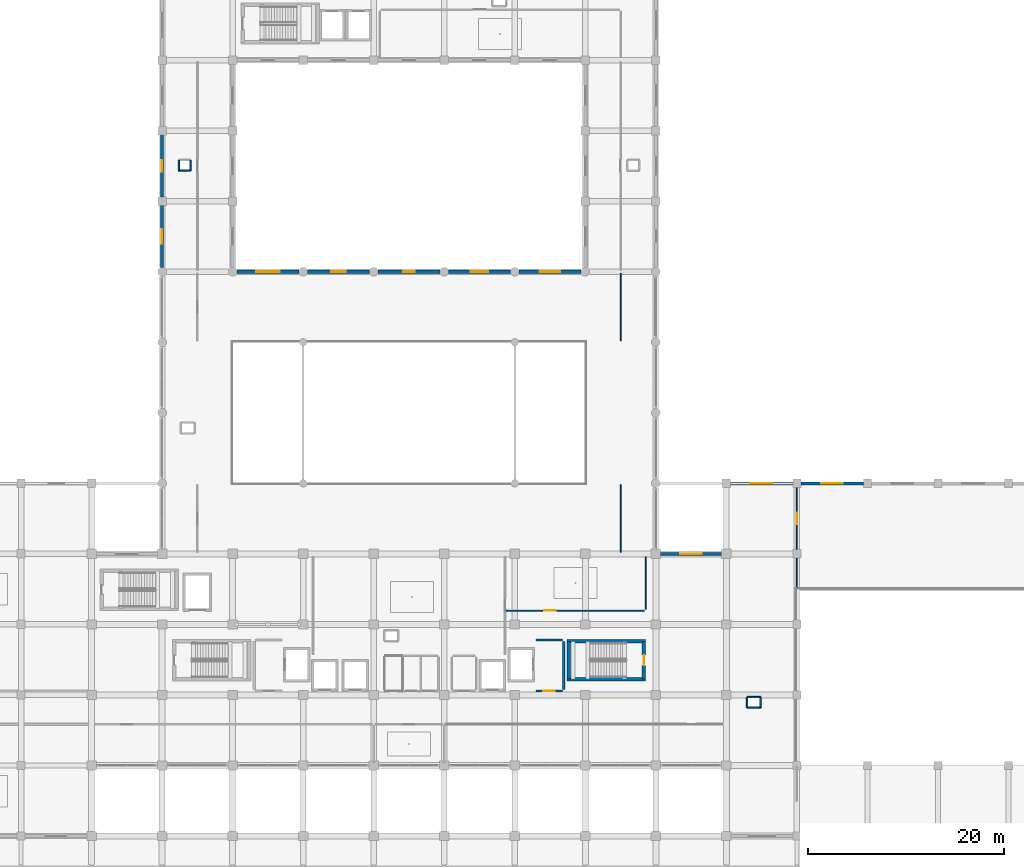
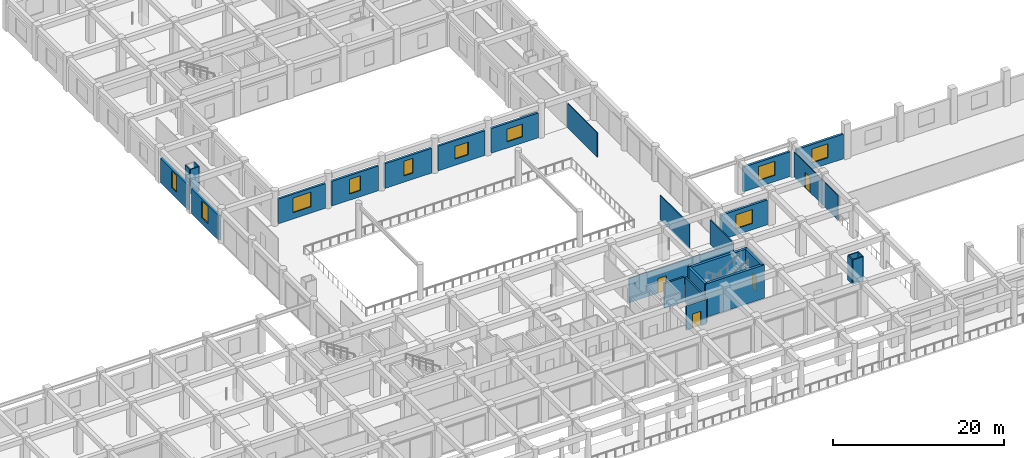
# One storey, part 32 of 54: 29 walls, 10 windows, 4 doors, 14 openings.
"""IFC4 building model written with IfcOpenShell, lengths in metres."""

from ifc_helpers import new_model, si_unit, direction, frame, frame_2d, origin, place, context, subcontext, project, spatial, rectangle, extrude, material, layer, layer_set, type_object, element, fill, save


model = new_model("IFC4")

# Units and contexts
model_context = context("Model", 3, precision=1e-05, world=origin(), true_north=direction((0.0, 1.0)))
body_context = subcontext(model_context, "Body", "Model", "MODEL_VIEW")
ifc_project = project(units=[si_unit("LENGTHUNIT", "METRE"), si_unit("AREAUNIT", "SQUARE_METRE"), si_unit("VOLUMEUNIT", "CUBIC_METRE"), si_unit("PLANEANGLEUNIT", "RADIAN"), si_unit("MASSUNIT", "GRAM", prefix="KILO")], contexts=[model_context])

# Site, building, storey
site_placement = place(None, origin())
site = spatial("IfcSite", under=ifc_project, at=site_placement, CompositionType="ELEMENT")
building_placement = place(site_placement, origin())
building = spatial("IfcBuilding", under=site, at=building_placement, Name="Kazehaya Institute of Natural Sciences", CompositionType="ELEMENT")
storey_placement = place(building_placement, frame((0.0, 0.0, 5.39990234375)))
storey = spatial("IfcBuildingStorey", under=building, at=storey_placement, Name="L01", CompositionType="ELEMENT", Elevation=5.39990234375)

# Walls
ifc_material_1 = material(Name="Concrete Fc42", Category="concrete")
ifc_layer_1 = layer(ifc_material_1, 0.35009765625, Name="Concrete Fc42", Category="concrete")
ifc_layer_set_1 = layer_set([ifc_layer_1], Name="Concrete Fc42")
wall_type_1 = type_object("IfcWallType", Name="WL-CORE-350", PredefinedType="SHEAR", material=ifc_layer_set_1)
for number, where, z_axis, x_axis, name in (
    (1, (111.155029296875, 22.820068359375, 0.0), (0.0, 0.0, 1.0), (-1.0, 0.0, 0.0), "L01 ST-2 core wall S"),
    (2, (103.14501953125, 26.659912109375, 0.0), (0.0, 0.0, 1.0), (1.0, 0.0, 0.0), "L01 ST-2 core wall N"),
):
    element("IfcWall", number, at=place(storey_placement, frame(where, z_axis=z_axis, x_axis=x_axis)), inside=storey, type_object=wall_type_1, Name=name, PredefinedType="SHEAR", context=body_context, shape_type="SweptSolid", body=[
        extrude(rectangle(XDim=8.010009765625, YDim=0.35009765625, at=frame_2d((4.0048828125, 0.0))), origin(), (0.0, 0.0, 1.0), 4.77001953125),
    ])
wall_1_placement = place(storey_placement, frame((103.320068359375, 22.820068359375, 0.0), z_axis=(0.0, 0.0, 1.0), x_axis=(0.0, 1.0, 0.0)))
element("IfcWall", 3, at=wall_1_placement, inside=storey, type_object=wall_type_1, Name="L01 ST-2 core wall W", PredefinedType="SHEAR", context=body_context, shape_type="SweptSolid", body=[
    extrude(rectangle(XDim=3.83984375, YDim=0.35009765625, at=frame_2d((1.919921875, 0.0))), origin(), (0.0, 0.0, 1.0), 4.77001953125),
])

# Wall, opening, door
wall_2_placement = place(storey_placement, frame((110.97998046875, 26.659912109375, 0.0), z_axis=(0.0, 0.0, 1.0), x_axis=(0.0, -1.0, 0.0)))
wall_2 = element("IfcWall", 4, at=wall_2_placement, inside=storey, type_object=wall_type_1, Name="L01 ST-2 core wall E", PredefinedType="SHEAR", context=body_context, shape_type="SweptSolid", body=[
    extrude(rectangle(XDim=3.83984375, YDim=0.35009765625, at=frame_2d((1.919921875, 0.0))), origin(), (0.0, 0.0, 1.0), 4.77001953125),
])
opening_1_placement = place(wall_2_placement, frame((1.389892578125, 0.0, 0.0)))
opening_1 = element("IfcOpeningElement", 5, at=opening_1_placement, cuts=wall_2, Name="Opening D-ST-014", PredefinedType="OPENING", context=body_context, shape_type="SweptSolid", body=[
    extrude(rectangle(XDim=1.06005859375, YDim=2.179931640625, at=frame_2d((0.530029296875, 1.08984375))), frame((0.0, 0.18505859375, 0.0), z_axis=(0.0, -1.0, 0.0), x_axis=(1.0, 0.0, 0.0)), (0.0, 0.0, 1.0), 0.3701171875),
])
ifc_material_2 = material(Name="Fire-rated steel acoustic door", Category="steel")
door_type_1 = type_object("IfcDoorType", Name="DT-FD-15", OperationType="NOTDEFINED", PredefinedType="DOOR", material=ifc_material_2)
door_1_placement = place(opening_1_placement, origin())
door_1 = element("IfcDoor", 6, at=door_1_placement, inside=storey, type_object=door_type_1, Name="L01 ST-2 stair enclosure door D-ST-014", OperationType="SINGLE_SWING_RIGHT", OverallHeight=2.179931640625, OverallWidth=1.06005859375, PredefinedType="DOOR", context=body_context, shape_type="SweptSolid", body=[
    extrude(rectangle(XDim=1.06005859375, YDim=2.179931640625, at=frame_2d((0.530029296875, 1.08984375))), frame((0.0, 0.02490234375, 0.0), z_axis=(0.0, -1.0, 0.0), x_axis=(1.0, 0.0, 0.0)), (0.0, 0.0, 1.0), 0.050048828125),
])
fill(opening_1, door_1)

# Wall, opening, window
ifc_material_3 = material(Name="Precast concrete Fc36", Category="concrete")
ifc_layer_2 = layer(ifc_material_3, 0.31005859375, Name="Precast concrete Fc36", Category="concrete")
ifc_layer_set_2 = layer_set([ifc_layer_2], Name="Precast concrete Fc36")
wall_type_2 = type_object("IfcWallType", Name="WL-EXT-310", PredefinedType="SOLIDWALL", material=ifc_layer_set_2)
wall_3_placement = place(storey_placement, frame((69.43505859375, 64.39990234375, 0.0), z_axis=(0.0, 0.0, 1.0), x_axis=(1.0, 0.0, 0.0)))
wall_3 = element("IfcWall", 7, at=wall_3_placement, inside=storey, type_object=wall_type_2, Name="L01 exterior wall EW-L01-0154", PredefinedType="SOLIDWALL", context=body_context, shape_type="SweptSolid", body=[
    extrude(rectangle(XDim=6.329833984375, YDim=0.31005859375, at=frame_2d((3.1650390625, 0.0))), origin(), (0.0, 0.0, 1.0), 3.5400390625),
])
opening_2_placement = place(wall_3_placement, frame((1.965087890625, 0.0, 0.89990234375)))
opening_2 = element("IfcOpeningElement", 8, at=opening_2_placement, cuts=wall_3, Name="Opening W08", PredefinedType="OPENING", context=body_context, shape_type="SweptSolid", body=[
    extrude(rectangle(XDim=2.39990234375, YDim=2.10009765625, at=frame_2d((1.199951171875, 1.050048828125))), frame((0.0, 0.1650390625, 0.0), z_axis=(0.0, -1.0, 0.0), x_axis=(1.0, 0.0, 0.0)), (0.0, 0.0, 1.0), 0.330078125),
])
ifc_material_4 = material(Name="Low-E double-glazed aluminium window", Category="aluminium")
window_type_1 = type_object("IfcWindowType", Name="WN-08", PartitioningType="DOUBLE_PANEL_VERTICAL", PredefinedType="WINDOW", material=ifc_material_4)
window_1_placement = place(opening_2_placement, origin())
window_1 = element("IfcWindow", 9, at=window_1_placement, inside=storey, type_object=window_type_1, Name="L01 facade window 0056", OverallHeight=2.10009765625, OverallWidth=2.39990234375, PartitioningType="DOUBLE_PANEL_VERTICAL", PredefinedType="WINDOW", context=body_context, shape_type="SweptSolid", body=[
    extrude(rectangle(XDim=2.39990234375, YDim=2.10009765625, at=frame_2d((1.199951171875, 1.050048828125))), frame((0.0, 0.030029296875, 0.0), z_axis=(0.0, -1.0, 0.0), x_axis=(1.0, 0.0, 0.0)), (0.0, 0.0, 1.0), 0.06005859375),
])
fill(opening_2, window_1)

wall_4_placement = place(storey_placement, frame((76.635009765625, 64.39990234375, 0.0), z_axis=(0.0, 0.0, 1.0), x_axis=(1.0, 0.0, 0.0)))
wall_4 = element("IfcWall", 10, at=wall_4_placement, inside=storey, type_object=wall_type_2, Name="L01 exterior wall EW-L01-0155", PredefinedType="SOLIDWALL", context=body_context, shape_type="SweptSolid", body=[
    extrude(rectangle(XDim=6.330078125, YDim=0.31005859375, at=frame_2d((3.1650390625, 0.0))), origin(), (0.0, 0.0, 1.0), 3.5400390625),
])
opening_3_placement = place(wall_4_placement, frame((2.4150390625, 0.0, 0.89990234375)))
opening_3 = element("IfcOpeningElement", 11, at=opening_3_placement, cuts=wall_4, Name="Opening W09", PredefinedType="OPENING", context=body_context, shape_type="SweptSolid", body=[
    extrude(rectangle(XDim=1.5, YDim=2.10009765625, at=frame_2d((0.75, 1.050048828125))), frame((0.0, 0.1650390625, 0.0), z_axis=(0.0, -1.0, 0.0), x_axis=(1.0, 0.0, 0.0)), (0.0, 0.0, 1.0), 0.330078125),
])
window_type_2 = type_object("IfcWindowType", Name="WN-09", PartitioningType="SINGLE_PANEL", PredefinedType="WINDOW", material=ifc_material_4)
window_2_placement = place(opening_3_placement, origin())
window_2 = element("IfcWindow", 12, at=window_2_placement, inside=storey, type_object=window_type_2, Name="L01 facade window 0057", OverallHeight=2.10009765625, OverallWidth=1.5, PartitioningType="SINGLE_PANEL", PredefinedType="WINDOW", context=body_context, shape_type="SweptSolid", body=[
    extrude(rectangle(XDim=1.5, YDim=2.10009765625, at=frame_2d((0.75, 1.050048828125))), frame((0.0, 0.030029296875, 0.0), z_axis=(0.0, -1.0, 0.0), x_axis=(1.0, 0.0, 0.0)), (0.0, 0.0, 1.0), 0.06005859375),
])
fill(opening_3, window_2)

wall_5_placement = place(storey_placement, frame((83.8349609375, 64.39990234375, 0.0), z_axis=(0.0, 0.0, 1.0), x_axis=(1.0, 0.0, 0.0)))
wall_5 = element("IfcWall", 13, at=wall_5_placement, inside=storey, type_object=wall_type_2, Name="L01 exterior wall EW-L01-0156", PredefinedType="SOLIDWALL", context=body_context, shape_type="SweptSolid", body=[
    extrude(rectangle(XDim=6.330078125, YDim=0.31005859375, at=frame_2d((3.1650390625, 0.0))), origin(), (0.0, 0.0, 1.0), 3.5400390625),
])
opening_4_placement = place(wall_5_placement, frame((2.56494140625, 0.0, 0.89990234375)))
opening_4 = element("IfcOpeningElement", 14, at=opening_4_placement, cuts=wall_5, Name="Opening W10", PredefinedType="OPENING", context=body_context, shape_type="SweptSolid", body=[
    extrude(rectangle(XDim=1.199951171875, YDim=2.10009765625, at=frame_2d((0.60009765625, 1.050048828125))), frame((0.0, 0.1650390625, 0.0), z_axis=(0.0, -1.0, 0.0), x_axis=(1.0, 0.0, 0.0)), (0.0, 0.0, 1.0), 0.330078125),
])
window_type_3 = type_object("IfcWindowType", Name="WN-10", PartitioningType="SINGLE_PANEL", PredefinedType="WINDOW", material=ifc_material_4)
window_3_placement = place(opening_4_placement, origin())
window_3 = element("IfcWindow", 15, at=window_3_placement, inside=storey, type_object=window_type_3, Name="L01 facade window 0058", OverallHeight=2.10009765625, OverallWidth=1.199951171875, PartitioningType="SINGLE_PANEL", PredefinedType="WINDOW", context=body_context, shape_type="SweptSolid", body=[
    extrude(rectangle(XDim=1.199951171875, YDim=2.10009765625, at=frame_2d((0.60009765625, 1.050048828125))), frame((0.0, 0.030029296875, 0.0), z_axis=(0.0, -1.0, 0.0), x_axis=(1.0, 0.0, 0.0)), (0.0, 0.0, 1.0), 0.06005859375),
])
fill(opening_4, window_3)

wall_6_placement = place(storey_placement, frame((91.034912109375, 64.39990234375, 0.0), z_axis=(0.0, 0.0, 1.0), x_axis=(1.0, 0.0, 0.0)))
wall_6 = element("IfcWall", 16, at=wall_6_placement, inside=storey, type_object=wall_type_2, Name="L01 exterior wall EW-L01-0157", PredefinedType="SOLIDWALL", context=body_context, shape_type="SweptSolid", body=[
    extrude(rectangle(XDim=6.330078125, YDim=0.31005859375, at=frame_2d((3.1650390625, 0.0))), origin(), (0.0, 0.0, 1.0), 3.5400390625),
])
opening_5_placement = place(wall_6_placement, frame((2.264892578125, 0.0, 0.89990234375)))
opening_5 = element("IfcOpeningElement", 17, at=opening_5_placement, cuts=wall_6, Name="Opening W11", PredefinedType="OPENING", context=body_context, shape_type="SweptSolid", body=[
    extrude(rectangle(XDim=1.800048828125, YDim=1.800048828125, at=frame_2d((0.89990234375, 0.89990234375))), frame((0.0, 0.1650390625, 0.0), z_axis=(0.0, -1.0, 0.0), x_axis=(1.0, 0.0, 0.0)), (0.0, 0.0, 1.0), 0.330078125),
])
window_type_4 = type_object("IfcWindowType", Name="WN-11", PartitioningType="DOUBLE_PANEL_VERTICAL", PredefinedType="WINDOW", material=ifc_material_4)
window_4_placement = place(opening_5_placement, origin())
window_4 = element("IfcWindow", 18, at=window_4_placement, inside=storey, type_object=window_type_4, Name="L01 facade window 0059", OverallHeight=1.800048828125, OverallWidth=1.800048828125, PartitioningType="DOUBLE_PANEL_VERTICAL", PredefinedType="WINDOW", context=body_context, shape_type="SweptSolid", body=[
    extrude(rectangle(XDim=1.800048828125, YDim=1.800048828125, at=frame_2d((0.89990234375, 0.89990234375))), frame((0.0, 0.030029296875, 0.0), z_axis=(0.0, -1.0, 0.0), x_axis=(1.0, 0.0, 0.0)), (0.0, 0.0, 1.0), 0.06005859375),
])
fill(opening_5, window_4)

wall_7_placement = place(storey_placement, frame((98.235107421875, 64.39990234375, 0.0), z_axis=(0.0, 0.0, 1.0), x_axis=(1.0, 0.0, 0.0)))
wall_7 = element("IfcWall", 19, at=wall_7_placement, inside=storey, type_object=wall_type_2, Name="L01 exterior wall EW-L01-0158", PredefinedType="SOLIDWALL", context=body_context, shape_type="SweptSolid", body=[
    extrude(rectangle(XDim=6.329833984375, YDim=0.31005859375, at=frame_2d((3.1650390625, 0.0))), origin(), (0.0, 0.0, 1.0), 3.5400390625),
])
opening_6_placement = place(wall_7_placement, frame((2.114990234375, 0.0, 0.89990234375)))
opening_6 = element("IfcOpeningElement", 20, at=opening_6_placement, cuts=wall_7, Name="Opening W12", PredefinedType="OPENING", context=body_context, shape_type="SweptSolid", body=[
    extrude(rectangle(XDim=2.10009765625, YDim=1.800048828125, at=frame_2d((1.050048828125, 0.89990234375))), frame((0.0, 0.1650390625, 0.0), z_axis=(0.0, -1.0, 0.0), x_axis=(1.0, 0.0, 0.0)), (0.0, 0.0, 1.0), 0.330078125),
])
window_type_5 = type_object("IfcWindowType", Name="WN-12", PartitioningType="DOUBLE_PANEL_VERTICAL", PredefinedType="WINDOW", material=ifc_material_4)
window_5_placement = place(opening_6_placement, origin())
window_5 = element("IfcWindow", 21, at=window_5_placement, inside=storey, type_object=window_type_5, Name="L01 facade window 0060", OverallHeight=1.800048828125, OverallWidth=2.10009765625, PartitioningType="DOUBLE_PANEL_VERTICAL", PredefinedType="WINDOW", context=body_context, shape_type="SweptSolid", body=[
    extrude(rectangle(XDim=2.10009765625, YDim=1.800048828125, at=frame_2d((1.050048828125, 0.89990234375))), frame((0.0, 0.030029296875, 0.0), z_axis=(0.0, -1.0, 0.0), x_axis=(1.0, 0.0, 0.0)), (0.0, 0.0, 1.0), 0.06005859375),
])
fill(opening_6, window_5)

wall_8_placement = place(storey_placement, frame((112.659912109375, 35.60009765625, 0.0), z_axis=(0.0, 0.0, 1.0), x_axis=(1.0, 0.0, 0.0)))
wall_8 = element("IfcWall", 22, at=wall_8_placement, inside=storey, type_object=wall_type_2, Name="L01 exterior wall EW-L01-0160", PredefinedType="SOLIDWALL", context=body_context, shape_type="SweptSolid", body=[
    extrude(rectangle(XDim=6.280029296875, YDim=0.31005859375, at=frame_2d((3.14013671875, 0.0))), origin(), (0.0, 0.0, 1.0), 3.5400390625),
])
opening_7_placement = place(wall_8_placement, frame((2.0400390625, 0.0, 0.89990234375)))
opening_7 = element("IfcOpeningElement", 23, at=opening_7_placement, cuts=wall_8, Name="Opening W20", PredefinedType="OPENING", context=body_context, shape_type="SweptSolid", body=[
    extrude(rectangle(XDim=2.199951171875, YDim=2.0, at=frame_2d((1.10009765625, 1.0))), frame((0.0, 0.1650390625, 0.0), z_axis=(0.0, -1.0, 0.0), x_axis=(1.0, 0.0, 0.0)), (0.0, 0.0, 1.0), 0.330078125),
])
window_type_6 = type_object("IfcWindowType", Name="WN-20", PartitioningType="DOUBLE_PANEL_VERTICAL", PredefinedType="WINDOW", material=ifc_material_4)
window_6_placement = place(opening_7_placement, origin())
window_6 = element("IfcWindow", 24, at=window_6_placement, inside=storey, type_object=window_type_6, Name="L01 facade window 0062", OverallHeight=2.0, OverallWidth=2.199951171875, PartitioningType="DOUBLE_PANEL_VERTICAL", PredefinedType="WINDOW", context=body_context, shape_type="SweptSolid", body=[
    extrude(rectangle(XDim=2.199951171875, YDim=2.0, at=frame_2d((1.10009765625, 1.0))), frame((0.0, 0.030029296875, 0.0), z_axis=(0.0, -1.0, 0.0), x_axis=(1.0, 0.0, 0.0)), (0.0, 0.0, 1.0), 0.06005859375),
])
fill(opening_7, window_6)

wall_9_placement = place(storey_placement, frame((119.81005859375, 42.800048828125, 0.0), z_axis=(0.0, 0.0, 1.0), x_axis=(1.0, 0.0, 0.0)))
wall_9 = element("IfcWall", 25, at=wall_9_placement, inside=storey, type_object=wall_type_2, Name="L01 exterior wall EW-L01-0379", PredefinedType="SOLIDWALL", context=body_context, shape_type="SweptSolid", body=[
    extrude(rectangle(XDim=6.3798828125, YDim=0.31005859375, at=frame_2d((3.18994140625, 0.0))), origin(), (0.0, 0.0, 1.0), 3.5400390625),
])
opening_8_placement = place(wall_9_placement, frame((2.090087890625, 0.0, 0.89990234375)))
opening_8 = element("IfcOpeningElement", 26, at=opening_8_placement, cuts=wall_9, Name="Opening W20", PredefinedType="OPENING", context=body_context, shape_type="SweptSolid", body=[
    extrude(rectangle(XDim=2.199951171875, YDim=2.0, at=frame_2d((1.10009765625, 1.0))), frame((0.0, 0.1650390625, 0.0), z_axis=(0.0, -1.0, 0.0), x_axis=(1.0, 0.0, 0.0)), (0.0, 0.0, 1.0), 0.330078125),
])
window_7_placement = place(opening_8_placement, origin())
window_7 = element("IfcWindow", 27, at=window_7_placement, inside=storey, type_object=window_type_6, Name="L01 facade window 0238", OverallHeight=2.0, OverallWidth=2.199951171875, PartitioningType="DOUBLE_PANEL_VERTICAL", PredefinedType="WINDOW", context=body_context, shape_type="SweptSolid", body=[
    extrude(rectangle(XDim=2.199951171875, YDim=2.0, at=frame_2d((1.10009765625, 1.0))), frame((0.0, 0.030029296875, 0.0), z_axis=(0.0, -1.0, 0.0), x_axis=(1.0, 0.0, 0.0)), (0.0, 0.0, 1.0), 0.06005859375),
])
fill(opening_8, window_7)

wall_10_placement = place(storey_placement, frame((127.010009765625, 42.800048828125, 0.0), z_axis=(0.0, 0.0, 1.0), x_axis=(1.0, 0.0, 0.0)))
wall_10 = element("IfcWall", 28, at=wall_10_placement, inside=storey, type_object=wall_type_2, Name="L01 exterior wall EW-L01-0380", PredefinedType="SOLIDWALL", context=body_context, shape_type="SweptSolid", body=[
    extrude(rectangle(XDim=6.3798828125, YDim=0.31005859375, at=frame_2d((3.18994140625, 0.0))), origin(), (0.0, 0.0, 1.0), 3.5400390625),
])
opening_9_placement = place(wall_10_placement, frame((2.090087890625, 0.0, 0.89990234375)))
opening_9 = element("IfcOpeningElement", 29, at=opening_9_placement, cuts=wall_10, Name="Opening W20", PredefinedType="OPENING", context=body_context, shape_type="SweptSolid", body=[
    extrude(rectangle(XDim=2.199951171875, YDim=2.0, at=frame_2d((1.10009765625, 1.0))), frame((0.0, 0.1650390625, 0.0), z_axis=(0.0, -1.0, 0.0), x_axis=(1.0, 0.0, 0.0)), (0.0, 0.0, 1.0), 0.330078125),
])
window_8_placement = place(opening_9_placement, origin())
window_8 = element("IfcWindow", 30, at=window_8_placement, inside=storey, type_object=window_type_6, Name="L01 facade window 0239", OverallHeight=2.0, OverallWidth=2.199951171875, PartitioningType="DOUBLE_PANEL_VERTICAL", PredefinedType="WINDOW", context=body_context, shape_type="SweptSolid", body=[
    extrude(rectangle(XDim=2.199951171875, YDim=2.0, at=frame_2d((1.10009765625, 1.0))), frame((0.0, 0.030029296875, 0.0), z_axis=(0.0, -1.0, 0.0), x_axis=(1.0, 0.0, 0.0)), (0.0, 0.0, 1.0), 0.06005859375),
])
fill(opening_9, window_8)

ifc_layer_3 = layer(ifc_material_3, 0.320068359375, Name="Precast concrete Fc36", Category="concrete")
ifc_layer_set_3 = layer_set([ifc_layer_3], Name="Precast concrete Fc36")
wall_type_3 = type_object("IfcWallType", Name="WL-EXT-320", PredefinedType="SOLIDWALL", material=ifc_layer_set_3)
wall_11_placement = place(storey_placement, frame((61.800048828125, 64.8349609375, 0.0), z_axis=(0.0, 0.0, 1.0), x_axis=(0.0, 1.0, 0.0)))
wall_11 = element("IfcWall", 31, at=wall_11_placement, inside=storey, type_object=wall_type_3, Name="L01 exterior wall EW-L01-0161", PredefinedType="SOLIDWALL", context=body_context, shape_type="SweptSolid", body=[
    extrude(rectangle(XDim=6.35498046875, YDim=0.320068359375, at=frame_2d((3.177490234375, 0.0))), origin(), (0.0, 0.0, 1.0), 3.5400390625),
])
opening_10_placement = place(wall_11_placement, frame((2.427490234375, 0.0, 0.89990234375)))
opening_10 = element("IfcOpeningElement", 32, at=opening_10_placement, cuts=wall_11, Name="Opening W04", PredefinedType="OPENING", context=body_context, shape_type="SweptSolid", body=[
    extrude(rectangle(XDim=1.5, YDim=2.39990234375, at=frame_2d((0.75, 1.199951171875))), frame((0.0, 0.169921875, 0.0), z_axis=(0.0, -1.0, 0.0), x_axis=(1.0, 0.0, 0.0)), (0.0, 0.0, 1.0), 0.340087890625),
])
window_type_7 = type_object("IfcWindowType", Name="WN-04", PartitioningType="SINGLE_PANEL", PredefinedType="WINDOW", material=ifc_material_4)
window_9_placement = place(opening_10_placement, origin())
window_9 = element("IfcWindow", 33, at=window_9_placement, inside=storey, type_object=window_type_7, Name="L01 facade window 0063", OverallHeight=2.39990234375, OverallWidth=1.5, PartitioningType="SINGLE_PANEL", PredefinedType="WINDOW", context=body_context, shape_type="SweptSolid", body=[
    extrude(rectangle(XDim=1.5, YDim=2.39990234375, at=frame_2d((0.75, 1.199951171875))), frame((0.0, 0.030029296875, 0.0), z_axis=(0.0, -1.0, 0.0), x_axis=(1.0, 0.0, 0.0)), (0.0, 0.0, 1.0), 0.06005859375),
])
fill(opening_10, window_9)

wall_12_placement = place(storey_placement, frame((61.800048828125, 72.010009765625, 0.0), z_axis=(0.0, 0.0, 1.0), x_axis=(0.0, 1.0, 0.0)))
wall_12 = element("IfcWall", 34, at=wall_12_placement, inside=storey, type_object=wall_type_3, Name="L01 exterior wall EW-L01-0165", PredefinedType="SOLIDWALL", context=body_context, shape_type="SweptSolid", body=[
    extrude(rectangle(XDim=6.3798828125, YDim=0.320068359375, at=frame_2d((3.18994140625, 0.0))), origin(), (0.0, 0.0, 1.0), 3.5400390625),
])
opening_11_placement = place(wall_12_placement, frame((2.590087890625, 0.0, 0.89990234375)))
opening_11 = element("IfcOpeningElement", 35, at=opening_11_placement, cuts=wall_12, Name="Opening W05", PredefinedType="OPENING", context=body_context, shape_type="SweptSolid", body=[
    extrude(rectangle(XDim=1.199951171875, YDim=2.39990234375, at=frame_2d((0.60009765625, 1.199951171875))), frame((0.0, 0.169921875, 0.0), z_axis=(0.0, -1.0, 0.0), x_axis=(1.0, 0.0, 0.0)), (0.0, 0.0, 1.0), 0.340087890625),
])
window_type_8 = type_object("IfcWindowType", Name="WN-05", PartitioningType="SINGLE_PANEL", PredefinedType="WINDOW", material=ifc_material_4)
window_10_placement = place(opening_11_placement, origin())
window_10 = element("IfcWindow", 36, at=window_10_placement, inside=storey, type_object=window_type_8, Name="L01 facade window 0067", OverallHeight=2.39990234375, OverallWidth=1.199951171875, PartitioningType="SINGLE_PANEL", PredefinedType="WINDOW", context=body_context, shape_type="SweptSolid", body=[
    extrude(rectangle(XDim=1.199951171875, YDim=2.39990234375, at=frame_2d((0.60009765625, 1.199951171875))), frame((0.0, 0.030029296875, 0.0), z_axis=(0.0, -1.0, 0.0), x_axis=(1.0, 0.0, 0.0)), (0.0, 0.0, 1.0), 0.06005859375),
])
fill(opening_11, window_10)

# Wall, opening, door
ifc_material_5 = material(Name="Concrete Fc36", Category="concrete")
ifc_layer_4 = layer(ifc_material_5, 0.22998046875, Name="Concrete Fc36", Category="concrete")
ifc_layer_set_4 = layer_set([ifc_layer_4], Name="Concrete Fc36")
wall_type_4 = type_object("IfcWallType", Name="WL-FFL-230", PredefinedType="PARTITIONING", material=ifc_layer_set_4)
wall_13_placement = place(storey_placement, frame((102.64990234375, 21.60009765625, 0.0), z_axis=(0.0, 0.0, 1.0), x_axis=(-1.0, 0.0, 0.0)))
wall_13 = element("IfcWall", 37, at=wall_13_placement, inside=storey, type_object=wall_type_4, Name="L01 East Firefighting Lift Lobby partition IW-L01-0083", PredefinedType="PARTITIONING", context=body_context, shape_type="SweptSolid", body=[
    extrude(rectangle(XDim=2.699951171875, YDim=0.22998046875, at=frame_2d((1.35009765625, 0.0))), origin(), (0.0, 0.0, 1.0), 3.52001953125),
])
opening_12_placement = place(wall_13_placement, frame((0.780029296875, 0.0, 0.0)))
opening_12 = element("IfcOpeningElement", 38, at=opening_12_placement, cuts=wall_13, Name="Opening D-L01-0077", PredefinedType="OPENING", context=body_context, shape_type="SweptSolid", body=[
    extrude(rectangle(XDim=1.139892578125, YDim=2.06005859375, at=frame_2d((0.56982421875, 1.030029296875))), frame((0.0, 0.125, 0.0), z_axis=(0.0, -1.0, 0.0), x_axis=(1.0, 0.0, 0.0)), (0.0, 0.0, 1.0), 0.25),
])
door_type_2 = type_object("IfcDoorType", Name="DT-FD-19", OperationType="NOTDEFINED", PredefinedType="DOOR", material=ifc_material_2)
door_2_placement = place(opening_12_placement, origin())
door_2 = element("IfcDoor", 39, at=door_2_placement, inside=storey, type_object=door_type_2, Name="L01 East Firefighting Lift Lobby door D-L01-0077", OperationType="SINGLE_SWING_LEFT", OverallHeight=2.06005859375, OverallWidth=1.139892578125, PredefinedType="DOOR", context=body_context, shape_type="SweptSolid", body=[
    extrude(rectangle(XDim=1.139892578125, YDim=2.06005859375, at=frame_2d((0.56982421875, 1.030029296875))), frame((0.0, 0.02490234375, 0.0), z_axis=(0.0, -1.0, 0.0), x_axis=(1.0, 0.0, 0.0)), (0.0, 0.0, 1.0), 0.050048828125),
])
fill(opening_12, door_2)

# Walls
wall_14_placement = place(storey_placement, frame((99.949951171875, 26.800048828125, 0.0), z_axis=(0.0, 0.0, 1.0), x_axis=(1.0, 0.0, 0.0)))
element("IfcWall", 40, at=wall_14_placement, inside=storey, type_object=wall_type_4, Name="L01 East Firefighting Lift Lobby partition IW-L01-0084", PredefinedType="PARTITIONING", context=body_context, shape_type="SweptSolid", body=[
    extrude(rectangle(XDim=2.699951171875, YDim=0.22998046875, at=frame_2d((1.35009765625, 0.0))), origin(), (0.0, 0.0, 1.0), 3.52001953125),
])
wall_15_placement = place(storey_placement, frame((102.800048828125, 26.64990234375, 0.0), z_axis=(0.0, 0.0, 1.0), x_axis=(0.0, -1.0, 0.0)))
element("IfcWall", 41, at=wall_15_placement, inside=storey, type_object=wall_type_4, Name="L01 East Firefighting Lift Lobby partition IW-L01-0085", PredefinedType="PARTITIONING", context=body_context, shape_type="SweptSolid", body=[
    extrude(rectangle(XDim=4.89990234375, YDim=0.22998046875, at=frame_2d((2.449951171875, 0.0))), origin(), (0.0, 0.0, 1.0), 3.52001953125),
])

# Wall, opening, door
ifc_material_6 = material(Name="Lightweight chase partition")
ifc_layer_5 = layer(ifc_material_6, 0.10009765625, Name="Lightweight chase partition")
ifc_layer_set_5 = layer_set([ifc_layer_5], Name="Lightweight chase partition")
wall_type_5 = type_object("IfcWallType", Name="WL-PART-100", PredefinedType="PARTITIONING", material=ifc_layer_set_5)
wall_16_placement = place(storey_placement, frame((126.60009765625, 32.14990234375, 0.0), z_axis=(0.0, 0.0, 1.0), x_axis=(0.0, 1.0, 0.0)))
wall_16 = element("IfcWall", 42, at=wall_16_placement, inside=storey, type_object=wall_type_5, Name="L01 Acoustic Control and Simultaneous Interpretation Room partition IW-L01-0116", PredefinedType="PARTITIONING", context=body_context, shape_type="SweptSolid", body=[
    extrude(rectangle(XDim=10.300048828125, YDim=0.10009765625, at=frame_2d((5.14990234375, 0.0))), origin(), (0.0, 0.0, 1.0), 3.52001953125),
])
opening_13_placement = place(wall_16_placement, frame((6.47509765625, 0.0, 0.0)))
opening_13 = element("IfcOpeningElement", 43, at=opening_13_placement, cuts=wall_16, Name="Opening D-L01-0090", PredefinedType="OPENING", context=body_context, shape_type="SweptSolid", body=[
    extrude(rectangle(XDim=1.14990234375, YDim=2.159912109375, at=frame_2d((0.574951171875, 1.080078125))), frame((0.0, 0.06005859375, 0.0), z_axis=(0.0, -1.0, 0.0), x_axis=(1.0, 0.0, 0.0)), (0.0, 0.0, 1.0), 0.1201171875),
])
ifc_material_7 = material(Name="Flush timber and aluminium laboratory door", Category="wood")
door_type_3 = type_object("IfcDoorType", Name="DT-INT-31", OperationType="NOTDEFINED", PredefinedType="DOOR", material=ifc_material_7)
door_3_placement = place(opening_13_placement, origin())
door_3 = element("IfcDoor", 44, at=door_3_placement, inside=storey, type_object=door_type_3, Name="L01 Acoustic Control and Simultaneous Interpretation Room door D-L01-0090", OperationType="SINGLE_SWING_RIGHT", OverallHeight=2.159912109375, OverallWidth=1.14990234375, PredefinedType="DOOR", context=body_context, shape_type="SweptSolid", body=[
    extrude(rectangle(XDim=1.14990234375, YDim=2.159912109375, at=frame_2d((0.574951171875, 1.080078125))), frame((0.0, 0.02490234375, 0.0), z_axis=(0.0, -1.0, 0.0), x_axis=(1.0, 0.0, 0.0)), (0.0, 0.0, 1.0), 0.050048828125),
])
fill(opening_13, door_3)

# Wall
ifc_material_8 = material(Name="Glazed office demountable partition")
ifc_layer_6 = layer(ifc_material_8, 0.110107421875, Name="Glazed office demountable partition")
ifc_layer_set_6 = layer_set([ifc_layer_6], Name="Glazed office demountable partition")
wall_type_6 = type_object("IfcWallType", Name="WL-PART-110", PredefinedType="PARTITIONING", material=ifc_layer_set_6)
wall_17_placement = place(storey_placement, frame((108.60009765625, 64.25, 0.0), z_axis=(0.0, 0.0, 1.0), x_axis=(0.0, -1.0, 0.0)))
element("IfcWall", 45, at=wall_17_placement, inside=storey, type_object=wall_type_6, Name="L01 Atrium North Study Gallery partition IW-L01-0120", PredefinedType="PARTITIONING", context=body_context, shape_type="SweptSolid", body=[
    extrude(rectangle(XDim=6.89990234375, YDim=0.110107421875, at=frame_2d((3.449951171875, 0.0))), origin(), (0.0, 0.0, 1.0), 3.52001953125),
])

# Wall, opening, door
ifc_material_9 = material(Name="Gypsum write-up office partition", Category="gypsum")
ifc_layer_7 = layer(ifc_material_9, 0.1201171875, Name="Gypsum write-up office partition", Category="gypsum")
ifc_layer_set_7 = layer_set([ifc_layer_7], Name="Gypsum write-up office partition")
wall_type_7 = type_object("IfcWallType", Name="WL-PART-120", PredefinedType="PARTITIONING", material=ifc_layer_set_7)
wall_18_placement = place(storey_placement, frame((111.030029296875, 29.800048828125, 0.0), z_axis=(0.0, 0.0, 1.0), x_axis=(-1.0, 0.0, 0.0)))
wall_18 = element("IfcWall", 46, at=wall_18_placement, inside=storey, type_object=wall_type_7, Name="L01 Shared NMR and Optical Instrument Suite partition IW-L01-0107", PredefinedType="PARTITIONING", context=body_context, shape_type="SweptSolid", body=[
    extrude(rectangle(XDim=14.080078125, YDim=0.1201171875, at=frame_2d((7.0400390625, 0.0))), origin(), (0.0, 0.0, 1.0), 3.52001953125),
])
opening_14_placement = place(wall_18_placement, frame((9.054931640625, 0.0, 0.0)))
opening_14 = element("IfcOpeningElement", 47, at=opening_14_placement, cuts=wall_18, Name="Opening D-L01-0086", PredefinedType="OPENING", context=body_context, shape_type="SweptSolid", body=[
    extrude(rectangle(XDim=1.14990234375, YDim=2.10009765625, at=frame_2d((0.574951171875, 1.050048828125))), frame((0.0, 0.070068359375, 0.0), z_axis=(0.0, -1.0, 0.0), x_axis=(1.0, 0.0, 0.0)), (0.0, 0.0, 1.0), 0.14013671875),
])
door_type_4 = type_object("IfcDoorType", Name="DT-INT-30", OperationType="NOTDEFINED", PredefinedType="DOOR", material=ifc_material_7)
door_4_placement = place(opening_14_placement, origin())
door_4 = element("IfcDoor", 48, at=door_4_placement, inside=storey, type_object=door_type_4, Name="L01 Shared NMR and Optical Instrument Suite door D-L01-0086", OperationType="SINGLE_SWING_RIGHT", OverallHeight=2.10009765625, OverallWidth=1.14990234375, PredefinedType="DOOR", context=body_context, shape_type="SweptSolid", body=[
    extrude(rectangle(XDim=1.14990234375, YDim=2.10009765625, at=frame_2d((0.574951171875, 1.050048828125))), frame((0.0, 0.02490234375, 0.0), z_axis=(0.0, -1.0, 0.0), x_axis=(1.0, 0.0, 0.0)), (0.0, 0.0, 1.0), 0.050048828125),
])
fill(opening_14, door_4)

# Walls
wall_19_placement = place(storey_placement, frame((111.179931640625, 35.300048828125, 0.0), z_axis=(0.0, 0.0, 1.0), x_axis=(0.0, -1.0, 0.0)))
element("IfcWall", 49, at=wall_19_placement, inside=storey, type_object=wall_type_7, Name="L01 Shared NMR and Optical Instrument Suite partition IW-L01-0108", PredefinedType="PARTITIONING", context=body_context, shape_type="SweptSolid", body=[
    extrude(rectangle(XDim=5.35009765625, YDim=0.1201171875, at=frame_2d((2.675048828125, 0.0))), origin(), (0.0, 0.0, 1.0), 3.52001953125),
])
wall_20_placement = place(storey_placement, frame((108.60009765625, 42.64990234375, 0.0), z_axis=(0.0, 0.0, 1.0), x_axis=(0.0, -1.0, 0.0)))
element("IfcWall", 50, at=wall_20_placement, inside=storey, type_object=wall_type_7, Name="L01 Atrium Gallery Lounge partition IW-L01-0118", PredefinedType="PARTITIONING", context=body_context, shape_type="SweptSolid", body=[
    extrude(rectangle(XDim=6.89990234375, YDim=0.1201171875, at=frame_2d((3.449951171875, 0.0))), origin(), (0.0, 0.0, 1.0), 3.52001953125),
])
ifc_layer_8 = layer(ifc_material_5, 0.14990234375, Name="Concrete Fc36", Category="concrete")
ifc_layer_set_8 = layer_set([ifc_layer_8], Name="Concrete Fc36")
wall_type_8 = type_object("IfcWallType", Name="WL-RISER-150", PredefinedType="PARTITIONING", material=ifc_layer_set_8)
for number, where, z_axis, x_axis, name in (
    (51, (122.885009765625, 19.9150390625, 0.0), (0.0, 0.0, 1.0), (-1.0, 0.0, 0.0), "L01 fume exhaust riser shaft wall 19"),
    (52, (121.514892578125, 20.985107421875, 0.0), (0.0, 0.0, 1.0), (1.0, 0.0, 0.0), "L01 fume exhaust riser shaft wall 19"),
):
    element("IfcWall", number, at=place(storey_placement, frame(where, z_axis=z_axis, x_axis=x_axis)), inside=storey, type_object=wall_type_8, Name=name, PredefinedType="PARTITIONING", context=body_context, shape_type="SweptSolid", body=[
        extrude(rectangle(XDim=1.3701171875, YDim=0.14990234375, at=frame_2d((0.68505859375, 0.0))), origin(), (0.0, 0.0, 1.0), 3.52001953125),
    ])
for number, where, z_axis, x_axis, name in (
    (53, (121.514892578125, 19.9150390625, 0.0), (0.0, 0.0, 1.0), (0.0, 1.0, 0.0), "L01 fume exhaust riser shaft wall 19"),
    (54, (122.885009765625, 20.985107421875, 0.0), (0.0, 0.0, 1.0), (0.0, -1.0, 0.0), "L01 fume exhaust riser shaft wall 19"),
):
    element("IfcWall", number, at=place(storey_placement, frame(where, z_axis=z_axis, x_axis=x_axis)), inside=storey, type_object=wall_type_8, Name=name, PredefinedType="PARTITIONING", context=body_context, shape_type="SweptSolid", body=[
        extrude(rectangle(XDim=1.070068359375, YDim=0.14990234375, at=frame_2d((0.53515625, 0.0))), origin(), (0.0, 0.0, 1.0), 3.52001953125),
    ])
wall_21_placement = place(storey_placement, frame((64.68505859375, 74.715087890625, 0.0), z_axis=(0.0, 0.0, 1.0), x_axis=(-1.0, 0.0, 0.0)))
element("IfcWall", 55, at=wall_21_placement, inside=storey, type_object=wall_type_8, Name="L01 fume exhaust riser shaft wall 21", PredefinedType="PARTITIONING", context=body_context, shape_type="SweptSolid", body=[
    extrude(rectangle(XDim=1.170166015625, YDim=0.14990234375, at=frame_2d((0.5849609375, 0.0))), origin(), (0.0, 0.0, 1.0), 3.52001953125),
])
for number, where, z_axis, x_axis, name in (
    (56, (63.514892578125, 74.715087890625, 0.0), (0.0, 0.0, 1.0), (0.0, 1.0, 0.0), "L01 fume exhaust riser shaft wall 21"),
    (57, (64.68505859375, 75.784912109375, 0.0), (0.0, 0.0, 1.0), (0.0, -1.0, 0.0), "L01 fume exhaust riser shaft wall 21"),
):
    element("IfcWall", number, at=place(storey_placement, frame(where, z_axis=z_axis, x_axis=x_axis)), inside=storey, type_object=wall_type_8, Name=name, PredefinedType="PARTITIONING", context=body_context, shape_type="SweptSolid", body=[
        extrude(rectangle(XDim=1.06982421875, YDim=0.14990234375, at=frame_2d((0.534912109375, 0.0))), origin(), (0.0, 0.0, 1.0), 3.52001953125),
    ])

save(model, "model.ifc")
